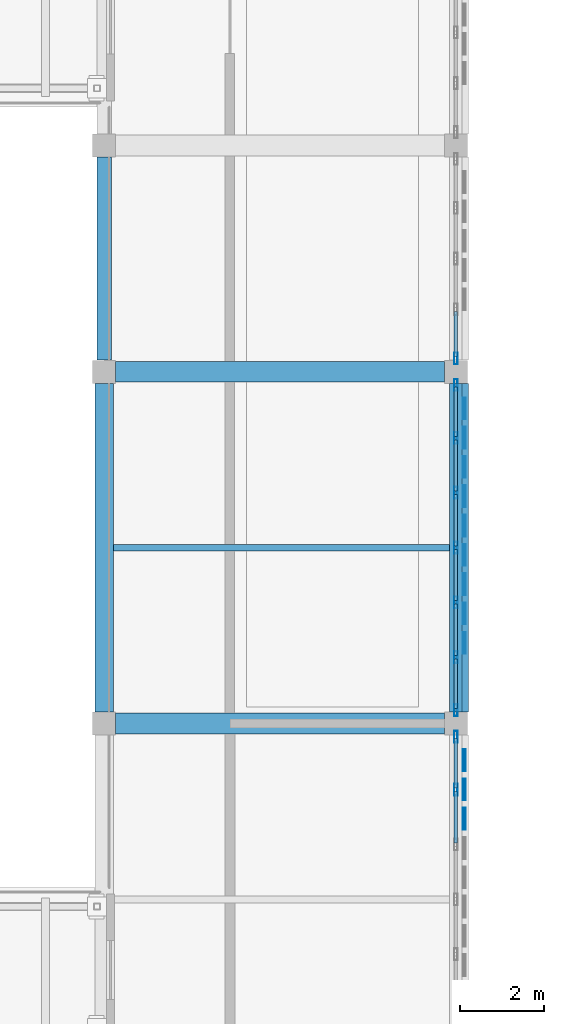
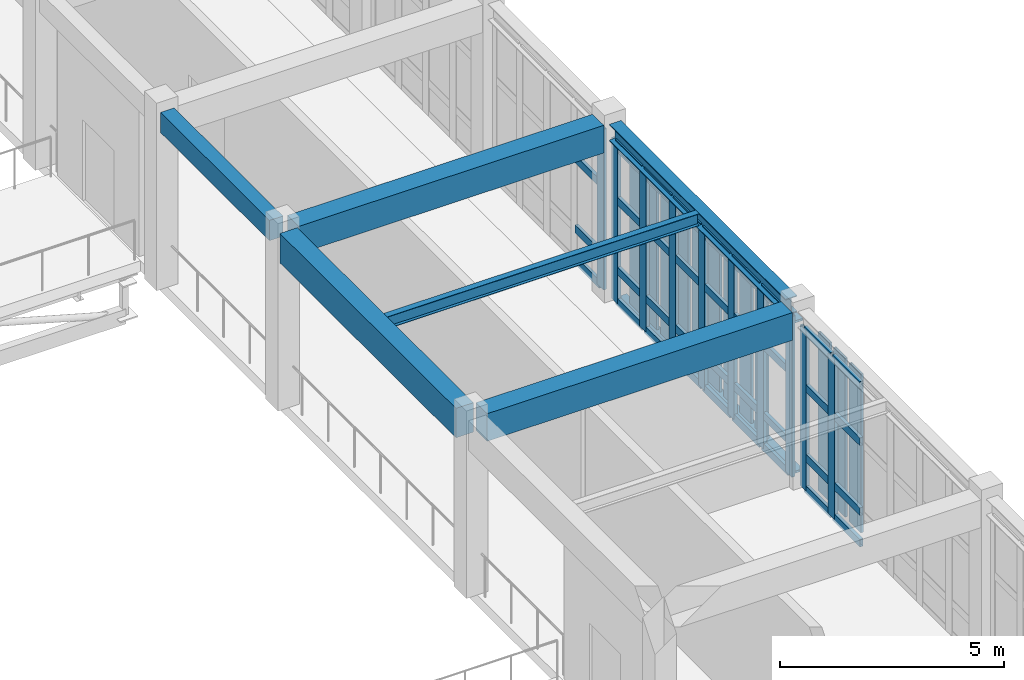
# One storey, part 34 of 106: 59 members, 6 beams, 3 elements without a shape of their own.
"""IFC4 building model written with IfcOpenShell, lengths in metres."""

from ifc_helpers import new_model, si_unit, direction, frame, origin, origin_2d, place, context, subcontext, project, spatial, rectangle, hollow_rectangle, i_section, extrude, material, layer, layer_set, material_profile, profile_set, type_object, element, aggregate, save


model = new_model("IFC4")

# Units and contexts
model_context = context("Model", 3, precision=1e-05, world=origin(), true_north=direction((0.0, 1.0)))
body_context = subcontext(model_context, "Body", "Model", "MODEL_VIEW")
ifc_project = project(units=[si_unit("LENGTHUNIT", "METRE"), si_unit("AREAUNIT", "SQUARE_METRE"), si_unit("VOLUMEUNIT", "CUBIC_METRE"), si_unit("PLANEANGLEUNIT", "RADIAN"), si_unit("MASSUNIT", "GRAM", prefix="KILO")], contexts=[model_context])

# Site, building, storey
site_placement = place(None, origin())
site = spatial("IfcSite", under=ifc_project, at=site_placement, CompositionType="ELEMENT")
building_placement = place(site_placement, origin())
building = spatial("IfcBuilding", under=site, at=building_placement, Name="Krzemoval Escarpment Law Courts", CompositionType="ELEMENT")
storey_placement = place(building_placement, frame((0.0, 0.0, 5.10009765625)))
storey = spatial("IfcBuildingStorey", under=building, at=storey_placement, Name="L01", CompositionType="ELEMENT", Elevation=5.10009765625)

# Beams
ifc_material_1 = material(Name="Concrete C40/50", Category="concrete")
ifc_material_profile_1 = material_profile(ifc_material_1, rectangle(XDim=0.35009765625, YDim=0.550048828125, at=origin_2d()), Name="RCB 350x550")
ifc_profile_set_1 = profile_set([ifc_material_profile_1], Name="Concrete C40/50")
beam_type_1 = type_object("IfcBeamType", Name="BM-RC-350x550", PredefinedType="BEAM", material=ifc_profile_set_1)
beam_1_placement = place(storey_placement, frame((33.60009765625, 74.675048828125, 4.544921875), z_axis=(0.0, 1.0, 0.0), x_axis=(-1.0, 0.0, 0.0)))
element("IfcBeam", 1, at=beam_1_placement, inside=storey, type_object=beam_type_1, Name="Beam FG-L01-1429", PredefinedType="BEAM", context=body_context, shape_type="SweptSolid", body=[
    extrude(rectangle(XDim=0.35009765625, YDim=0.550048828125, at=origin_2d()), origin(), (0.0, 0.0, 1.0), 4.849853515625),
])
ifc_material_2 = material(Name="Concrete C40/50", Category="concrete")
ifc_material_profile_2 = material_profile(ifc_material_2, rectangle(XDim=0.449951171875, YDim=0.800048828125, at=origin_2d()), Name="RCB 450x800")
ifc_profile_set_2 = profile_set([ifc_material_profile_2], Name="Concrete C40/50")
beam_type_2 = type_object("IfcBeamType", Name="BM-RC-450x800", PredefinedType="BEAM", material=ifc_profile_set_2)
beam_2_placement = place(storey_placement, frame((33.60009765625, 66.27490234375, 4.419921875), z_axis=(0.0, 1.0, 0.0), x_axis=(-1.0, 0.0, 0.0)))
element("IfcBeam", 2, at=beam_2_placement, inside=storey, type_object=beam_type_2, Name="Beam FG-L01-1428", PredefinedType="BEAM", context=body_context, shape_type="SweptSolid", body=[
    extrude(rectangle(XDim=0.449951171875, YDim=0.800048828125, at=origin_2d()), origin(), (0.0, 0.0, 1.0), 7.85009765625),
])
ifc_material_3 = material(Name="Concrete C40/50", Category="concrete")
ifc_material_profile_3 = material_profile(ifc_material_3, rectangle(XDim=0.5, YDim=0.75, at=origin_2d()), Name="RCB 500x750")
ifc_profile_set_3 = profile_set([ifc_material_profile_3], Name="Concrete C40/50")
beam_type_3 = type_object("IfcBeamType", Name="BM-RC-500x750", PredefinedType="BEAM", material=ifc_profile_set_3)
for number, where, z_axis, x_axis, name in (
    (3, (33.875, 66.0, 4.44482421875), (1.0, 0.0, 0.0), (0.0, 1.0, 0.0), "Beam FG-L01-1264"),
    (4, (33.875, 74.39990234375, 4.44482421875), (1.0, 0.0, 0.0), (0.0, 1.0, 0.0), "Beam FG-L01-1272"),
):
    element("IfcBeam", number, at=place(storey_placement, frame(where, z_axis=z_axis, x_axis=x_axis)), inside=storey, type_object=beam_type_3, Name=name, PredefinedType="BEAM", context=body_context, shape_type="SweptSolid", body=[
        extrude(rectangle(XDim=0.5, YDim=0.75, at=origin_2d()), origin(), (0.0, 0.0, 1.0), 7.85009765625),
    ])

# Curtain wall, member
ifc_material_4 = material(Name="Aluminium 6063-T6", Category="aluminium")
ifc_layer = layer(ifc_material_4, 0.280029296875)
ifc_layer_set = layer_set([ifc_layer], Name="Aluminium 6063-T6")
curtain_wall_type = type_object("IfcCurtainWallType", Name="CW-HALL-5100", PredefinedType="USERDEFINED", material=ifc_layer_set)
curtain_wall_1_placement = place(storey_placement, origin())
curtain_wall_1 = element("IfcCurtainWall", 5, at=curtain_wall_1_placement, inside=storey, type_object=curtain_wall_type, Name="Unitised Curtain Wall FCW-L01-059", ObjectType="UNITISED_CURTAIN_WALL", PredefinedType="USERDEFINED")
ifc_material_5 = material(Name="Aluminium 6063-T6", Category="aluminium")
ifc_material_profile_4 = material_profile(ifc_material_5, hollow_rectangle(XDim=0.0849609375, YDim=0.280029296875, WallThickness=0.005615234375, at=origin_2d()), Name="ALU M85x280")
ifc_profile_set_4 = profile_set([ifc_material_profile_4], Name="Aluminium 6063-T6")
member_type_1 = type_object("IfcMemberType", Name="CWM-85x280", PredefinedType="MULLION", material=ifc_profile_set_4)
member_1_placement = place(storey_placement, frame((42.0, 74.717529296875, 0.0), z_axis=(0.0, 0.0, 1.0), x_axis=(1.0, 0.0, 0.0)))
member_1 = element("IfcMember", 6, at=member_1_placement, type_object=member_type_1, Name="FCW-L01-059 mullion 5", PredefinedType="MULLION", context=body_context, shape_type="SweptSolid", body=[
    extrude(hollow_rectangle(XDim=0.0849609375, YDim=0.280029296875, WallThickness=0.005615234375, at=origin_2d()), origin(), (0.0, 0.0, 1.0), 4.369873046875),
])

# Curtain wall, members
curtain_wall_2_placement = place(storey_placement, origin())
curtain_wall_2 = element("IfcCurtainWall", 7, at=curtain_wall_2_placement, inside=storey, type_object=curtain_wall_type, Name="Unitised Curtain Wall FCW-L01-060", ObjectType="UNITISED_CURTAIN_WALL", PredefinedType="USERDEFINED")
member_2_placement = place(storey_placement, frame((42.0, 74.08251953125, 0.0), z_axis=(0.0, 0.0, 1.0), x_axis=(1.0, 0.0, 0.0)))
member_2 = element("IfcMember", 8, at=member_2_placement, type_object=member_type_1, Name="FCW-L01-060 mullion 1", PredefinedType="MULLION", context=body_context, shape_type="SweptSolid", body=[
    extrude(hollow_rectangle(XDim=0.0849609375, YDim=0.280029296875, WallThickness=0.005615234375, at=origin_2d()), origin(), (0.0, 0.0, 1.0), 4.369873046875),
])
member_3_placement = place(storey_placement, frame((42.0, 72.816650390625, 0.0), z_axis=(0.0, 0.0, 1.0), x_axis=(1.0, 0.0, 0.0)))
member_3 = element("IfcMember", 9, at=member_3_placement, type_object=member_type_1, Name="FCW-L01-060 mullion 2", PredefinedType="MULLION", context=body_context, shape_type="SweptSolid", body=[
    extrude(hollow_rectangle(XDim=0.0849609375, YDim=0.280029296875, WallThickness=0.005615234375, at=origin_2d()), origin(), (0.0, 0.0, 1.0), 4.369873046875),
])
member_4_placement = place(storey_placement, frame((42.0, 71.50830078125, 0.0), z_axis=(0.0, 0.0, 1.0), x_axis=(1.0, 0.0, 0.0)))
member_4 = element("IfcMember", 10, at=member_4_placement, type_object=member_type_1, Name="FCW-L01-060 mullion 3", PredefinedType="MULLION", context=body_context, shape_type="SweptSolid", body=[
    extrude(hollow_rectangle(XDim=0.0849609375, YDim=0.280029296875, WallThickness=0.005615234375, at=origin_2d()), origin(), (0.0, 0.0, 1.0), 4.369873046875),
])
member_5_placement = place(storey_placement, frame((42.0, 70.199951171875, 0.0), z_axis=(0.0, 0.0, 1.0), x_axis=(1.0, 0.0, 0.0)))
member_5 = element("IfcMember", 11, at=member_5_placement, type_object=member_type_1, Name="FCW-L01-060 mullion 4", PredefinedType="MULLION", context=body_context, shape_type="SweptSolid", body=[
    extrude(hollow_rectangle(XDim=0.0849609375, YDim=0.280029296875, WallThickness=0.005615234375, at=origin_2d()), origin(), (0.0, 0.0, 1.0), 4.369873046875),
])
member_6_placement = place(storey_placement, frame((42.0, 68.8916015625, 0.0), z_axis=(0.0, 0.0, 1.0), x_axis=(1.0, 0.0, 0.0)))
member_6 = element("IfcMember", 12, at=member_6_placement, type_object=member_type_1, Name="FCW-L01-060 mullion 5", PredefinedType="MULLION", context=body_context, shape_type="SweptSolid", body=[
    extrude(hollow_rectangle(XDim=0.0849609375, YDim=0.280029296875, WallThickness=0.005615234375, at=origin_2d()), origin(), (0.0, 0.0, 1.0), 4.369873046875),
])
member_7_placement = place(storey_placement, frame((42.0, 67.583251953125, 0.0), z_axis=(0.0, 0.0, 1.0), x_axis=(1.0, 0.0, 0.0)))
member_7 = element("IfcMember", 13, at=member_7_placement, type_object=member_type_1, Name="FCW-L01-060 mullion 6", PredefinedType="MULLION", context=body_context, shape_type="SweptSolid", body=[
    extrude(hollow_rectangle(XDim=0.0849609375, YDim=0.280029296875, WallThickness=0.005615234375, at=origin_2d()), origin(), (0.0, 0.0, 1.0), 4.369873046875),
])
member_8_placement = place(storey_placement, frame((42.0, 66.3173828125, 0.0), z_axis=(0.0, 0.0, 1.0), x_axis=(1.0, 0.0, 0.0)))
member_8 = element("IfcMember", 14, at=member_8_placement, type_object=member_type_1, Name="FCW-L01-060 mullion 7", PredefinedType="MULLION", context=body_context, shape_type="SweptSolid", body=[
    extrude(hollow_rectangle(XDim=0.0849609375, YDim=0.280029296875, WallThickness=0.005615234375, at=origin_2d()), origin(), (0.0, 0.0, 1.0), 4.369873046875),
])

curtain_wall_3_placement = place(storey_placement, origin())
curtain_wall_3 = element("IfcCurtainWall", 15, at=curtain_wall_3_placement, inside=storey, type_object=curtain_wall_type, Name="Unitised Curtain Wall FCW-L01-061", ObjectType="UNITISED_CURTAIN_WALL", PredefinedType="USERDEFINED")
member_9_placement = place(storey_placement, frame((42.0, 65.6826171875, 0.0), z_axis=(0.0, 0.0, 1.0), x_axis=(1.0, 0.0, 0.0)))
member_9 = element("IfcMember", 16, at=member_9_placement, type_object=member_type_1, Name="FCW-L01-061 mullion 1", PredefinedType="MULLION", context=body_context, shape_type="SweptSolid", body=[
    extrude(hollow_rectangle(XDim=0.0849609375, YDim=0.280029296875, WallThickness=0.005615234375, at=origin_2d()), origin(), (0.0, 0.0, 1.0), 4.369873046875),
])
member_10_placement = place(storey_placement, frame((42.0, 64.416748046875, 0.0), z_axis=(0.0, 0.0, 1.0), x_axis=(1.0, 0.0, 0.0)))
member_10 = element("IfcMember", 17, at=member_10_placement, type_object=member_type_1, Name="FCW-L01-061 mullion 2", PredefinedType="MULLION", context=body_context, shape_type="SweptSolid", body=[
    extrude(hollow_rectangle(XDim=0.0849609375, YDim=0.280029296875, WallThickness=0.005615234375, at=origin_2d()), origin(), (0.0, 0.0, 1.0), 4.369873046875),
])

# Member
ifc_material_6 = material(Name="Aluminium 6063-T6", Category="aluminium")
ifc_material_profile_5 = material_profile(ifc_material_6, hollow_rectangle(XDim=0.0849609375, YDim=0.2099609375, WallThickness=0.005615234375, at=origin_2d()), Name="ALU T85x210")
ifc_profile_set_5 = profile_set([ifc_material_profile_5], Name="Aluminium 6063-T6")
member_type_2 = type_object("IfcMemberType", Name="CWT-85x210", PredefinedType="USERDEFINED", material=ifc_profile_set_5)
member_11_placement = place(storey_placement, frame((42.0, 75.844970703125, 0.04248046875), z_axis=(0.0, -1.0, 0.0), x_axis=(1.0, 0.0, 0.0)))
member_11 = element("IfcMember", 18, at=member_11_placement, type_object=member_type_2, Name="FCW-L01-059 transom 4.1", ObjectType="TRANSOM", PredefinedType="USERDEFINED", context=body_context, shape_type="SweptSolid", body=[
    extrude(hollow_rectangle(XDim=0.0849609375, YDim=0.2099609375, WallThickness=0.005615234375, at=origin_2d()), origin(), (0.0, 0.0, 1.0), 1.0849609375),
])

member_12_placement = place(storey_placement, frame((42.0, 75.844970703125, 0.89990234375), z_axis=(0.0, -1.0, 0.0), x_axis=(1.0, 0.0, 0.0)))
member_12 = element("IfcMember", 19, at=member_12_placement, type_object=member_type_2, Name="FCW-L01-059 transom 4.2", ObjectType="TRANSOM", PredefinedType="USERDEFINED", context=body_context, shape_type="SweptSolid", body=[
    extrude(hollow_rectangle(XDim=0.0849609375, YDim=0.2099609375, WallThickness=0.005615234375, at=origin_2d()), origin(), (0.0, 0.0, 1.0), 1.0849609375),
])

member_13_placement = place(storey_placement, frame((42.0, 75.844970703125, 2.7998046875), z_axis=(0.0, -1.0, 0.0), x_axis=(1.0, 0.0, 0.0)))
member_13 = element("IfcMember", 20, at=member_13_placement, type_object=member_type_2, Name="FCW-L01-059 transom 4.3", ObjectType="TRANSOM", PredefinedType="USERDEFINED", context=body_context, shape_type="SweptSolid", body=[
    extrude(hollow_rectangle(XDim=0.0849609375, YDim=0.2099609375, WallThickness=0.005615234375, at=origin_2d()), origin(), (0.0, 0.0, 1.0), 1.0849609375),
])

aggregate(curtain_wall_1, [member_1, member_11, member_12, member_13])

member_14_placement = place(storey_placement, frame((42.0, 74.0400390625, 0.04248046875), z_axis=(0.0, -1.0, 0.0), x_axis=(1.0, 0.0, 0.0)))
member_14 = element("IfcMember", 21, at=member_14_placement, type_object=member_type_2, Name="FCW-L01-060 transom 1.1", ObjectType="TRANSOM", PredefinedType="USERDEFINED", context=body_context, shape_type="SweptSolid", body=[
    extrude(hollow_rectangle(XDim=0.0849609375, YDim=0.2099609375, WallThickness=0.005615234375, at=origin_2d()), origin(), (0.0, 0.0, 1.0), 1.180908203125),
])

member_15_placement = place(storey_placement, frame((42.0, 74.0400390625, 0.89990234375), z_axis=(0.0, -1.0, 0.0), x_axis=(1.0, 0.0, 0.0)))
member_15 = element("IfcMember", 22, at=member_15_placement, type_object=member_type_2, Name="FCW-L01-060 transom 1.2", ObjectType="TRANSOM", PredefinedType="USERDEFINED", context=body_context, shape_type="SweptSolid", body=[
    extrude(hollow_rectangle(XDim=0.0849609375, YDim=0.2099609375, WallThickness=0.005615234375, at=origin_2d()), origin(), (0.0, 0.0, 1.0), 1.180908203125),
])

member_16_placement = place(storey_placement, frame((42.0, 74.0400390625, 2.7998046875), z_axis=(0.0, -1.0, 0.0), x_axis=(1.0, 0.0, 0.0)))
member_16 = element("IfcMember", 23, at=member_16_placement, type_object=member_type_2, Name="FCW-L01-060 transom 1.3", ObjectType="TRANSOM", PredefinedType="USERDEFINED", context=body_context, shape_type="SweptSolid", body=[
    extrude(hollow_rectangle(XDim=0.0849609375, YDim=0.2099609375, WallThickness=0.005615234375, at=origin_2d()), origin(), (0.0, 0.0, 1.0), 1.180908203125),
])

member_17_placement = place(storey_placement, frame((42.0, 74.0400390625, 4.327392578125), z_axis=(0.0, -1.0, 0.0), x_axis=(1.0, 0.0, 0.0)))
member_17 = element("IfcMember", 24, at=member_17_placement, type_object=member_type_2, Name="FCW-L01-060 transom 1.4", ObjectType="TRANSOM", PredefinedType="USERDEFINED", context=body_context, shape_type="SweptSolid", body=[
    extrude(hollow_rectangle(XDim=0.0849609375, YDim=0.2099609375, WallThickness=0.005615234375, at=origin_2d()), origin(), (0.0, 0.0, 1.0), 1.180908203125),
])

member_18_placement = place(storey_placement, frame((42.0, 72.774169921875, 0.04248046875), z_axis=(0.0, -1.0, 0.0), x_axis=(1.0, 0.0, 0.0)))
member_18 = element("IfcMember", 25, at=member_18_placement, type_object=member_type_2, Name="FCW-L01-060 transom 2.1", ObjectType="TRANSOM", PredefinedType="USERDEFINED", context=body_context, shape_type="SweptSolid", body=[
    extrude(hollow_rectangle(XDim=0.0849609375, YDim=0.2099609375, WallThickness=0.005615234375, at=origin_2d()), origin(), (0.0, 0.0, 1.0), 1.223388671875),
])

member_19_placement = place(storey_placement, frame((42.0, 72.774169921875, 0.89990234375), z_axis=(0.0, -1.0, 0.0), x_axis=(1.0, 0.0, 0.0)))
member_19 = element("IfcMember", 26, at=member_19_placement, type_object=member_type_2, Name="FCW-L01-060 transom 2.2", ObjectType="TRANSOM", PredefinedType="USERDEFINED", context=body_context, shape_type="SweptSolid", body=[
    extrude(hollow_rectangle(XDim=0.0849609375, YDim=0.2099609375, WallThickness=0.005615234375, at=origin_2d()), origin(), (0.0, 0.0, 1.0), 1.223388671875),
])

member_20_placement = place(storey_placement, frame((42.0, 72.774169921875, 2.7998046875), z_axis=(0.0, -1.0, 0.0), x_axis=(1.0, 0.0, 0.0)))
member_20 = element("IfcMember", 27, at=member_20_placement, type_object=member_type_2, Name="FCW-L01-060 transom 2.3", ObjectType="TRANSOM", PredefinedType="USERDEFINED", context=body_context, shape_type="SweptSolid", body=[
    extrude(hollow_rectangle(XDim=0.0849609375, YDim=0.2099609375, WallThickness=0.005615234375, at=origin_2d()), origin(), (0.0, 0.0, 1.0), 1.223388671875),
])

member_21_placement = place(storey_placement, frame((42.0, 72.774169921875, 4.327392578125), z_axis=(0.0, -1.0, 0.0), x_axis=(1.0, 0.0, 0.0)))
member_21 = element("IfcMember", 28, at=member_21_placement, type_object=member_type_2, Name="FCW-L01-060 transom 2.4", ObjectType="TRANSOM", PredefinedType="USERDEFINED", context=body_context, shape_type="SweptSolid", body=[
    extrude(hollow_rectangle(XDim=0.0849609375, YDim=0.2099609375, WallThickness=0.005615234375, at=origin_2d()), origin(), (0.0, 0.0, 1.0), 1.223388671875),
])

member_22_placement = place(storey_placement, frame((42.0, 71.4658203125, 0.04248046875), z_axis=(0.0, -1.0, 0.0), x_axis=(1.0, 0.0, 0.0)))
member_22 = element("IfcMember", 29, at=member_22_placement, type_object=member_type_2, Name="FCW-L01-060 transom 3.1", ObjectType="TRANSOM", PredefinedType="USERDEFINED", context=body_context, shape_type="SweptSolid", body=[
    extrude(hollow_rectangle(XDim=0.0849609375, YDim=0.2099609375, WallThickness=0.005615234375, at=origin_2d()), origin(), (0.0, 0.0, 1.0), 1.223388671875),
])

member_23_placement = place(storey_placement, frame((42.0, 71.4658203125, 0.89990234375), z_axis=(0.0, -1.0, 0.0), x_axis=(1.0, 0.0, 0.0)))
member_23 = element("IfcMember", 30, at=member_23_placement, type_object=member_type_2, Name="FCW-L01-060 transom 3.2", ObjectType="TRANSOM", PredefinedType="USERDEFINED", context=body_context, shape_type="SweptSolid", body=[
    extrude(hollow_rectangle(XDim=0.0849609375, YDim=0.2099609375, WallThickness=0.005615234375, at=origin_2d()), origin(), (0.0, 0.0, 1.0), 1.223388671875),
])

member_24_placement = place(storey_placement, frame((42.0, 71.4658203125, 2.7998046875), z_axis=(0.0, -1.0, 0.0), x_axis=(1.0, 0.0, 0.0)))
member_24 = element("IfcMember", 31, at=member_24_placement, type_object=member_type_2, Name="FCW-L01-060 transom 3.3", ObjectType="TRANSOM", PredefinedType="USERDEFINED", context=body_context, shape_type="SweptSolid", body=[
    extrude(hollow_rectangle(XDim=0.0849609375, YDim=0.2099609375, WallThickness=0.005615234375, at=origin_2d()), origin(), (0.0, 0.0, 1.0), 1.223388671875),
])

member_25_placement = place(storey_placement, frame((42.0, 71.4658203125, 4.327392578125), z_axis=(0.0, -1.0, 0.0), x_axis=(1.0, 0.0, 0.0)))
member_25 = element("IfcMember", 32, at=member_25_placement, type_object=member_type_2, Name="FCW-L01-060 transom 3.4", ObjectType="TRANSOM", PredefinedType="USERDEFINED", context=body_context, shape_type="SweptSolid", body=[
    extrude(hollow_rectangle(XDim=0.0849609375, YDim=0.2099609375, WallThickness=0.005615234375, at=origin_2d()), origin(), (0.0, 0.0, 1.0), 1.223388671875),
])

member_26_placement = place(storey_placement, frame((42.0, 70.157470703125, 0.04248046875), z_axis=(0.0, -1.0, 0.0), x_axis=(1.0, 0.0, 0.0)))
member_26 = element("IfcMember", 33, at=member_26_placement, type_object=member_type_2, Name="FCW-L01-060 transom 4.1", ObjectType="TRANSOM", PredefinedType="USERDEFINED", context=body_context, shape_type="SweptSolid", body=[
    extrude(hollow_rectangle(XDim=0.0849609375, YDim=0.2099609375, WallThickness=0.005615234375, at=origin_2d()), origin(), (0.0, 0.0, 1.0), 1.223388671875),
])

member_27_placement = place(storey_placement, frame((42.0, 70.157470703125, 0.89990234375), z_axis=(0.0, -1.0, 0.0), x_axis=(1.0, 0.0, 0.0)))
member_27 = element("IfcMember", 34, at=member_27_placement, type_object=member_type_2, Name="FCW-L01-060 transom 4.2", ObjectType="TRANSOM", PredefinedType="USERDEFINED", context=body_context, shape_type="SweptSolid", body=[
    extrude(hollow_rectangle(XDim=0.0849609375, YDim=0.2099609375, WallThickness=0.005615234375, at=origin_2d()), origin(), (0.0, 0.0, 1.0), 1.223388671875),
])

member_28_placement = place(storey_placement, frame((42.0, 70.157470703125, 2.7998046875), z_axis=(0.0, -1.0, 0.0), x_axis=(1.0, 0.0, 0.0)))
member_28 = element("IfcMember", 35, at=member_28_placement, type_object=member_type_2, Name="FCW-L01-060 transom 4.3", ObjectType="TRANSOM", PredefinedType="USERDEFINED", context=body_context, shape_type="SweptSolid", body=[
    extrude(hollow_rectangle(XDim=0.0849609375, YDim=0.2099609375, WallThickness=0.005615234375, at=origin_2d()), origin(), (0.0, 0.0, 1.0), 1.223388671875),
])

member_29_placement = place(storey_placement, frame((42.0, 70.157470703125, 4.327392578125), z_axis=(0.0, -1.0, 0.0), x_axis=(1.0, 0.0, 0.0)))
member_29 = element("IfcMember", 36, at=member_29_placement, type_object=member_type_2, Name="FCW-L01-060 transom 4.4", ObjectType="TRANSOM", PredefinedType="USERDEFINED", context=body_context, shape_type="SweptSolid", body=[
    extrude(hollow_rectangle(XDim=0.0849609375, YDim=0.2099609375, WallThickness=0.005615234375, at=origin_2d()), origin(), (0.0, 0.0, 1.0), 1.223388671875),
])

member_30_placement = place(storey_placement, frame((42.0, 68.84912109375, 0.04248046875), z_axis=(0.0, -1.0, 0.0), x_axis=(1.0, 0.0, 0.0)))
member_30 = element("IfcMember", 37, at=member_30_placement, type_object=member_type_2, Name="FCW-L01-060 transom 5.1", ObjectType="TRANSOM", PredefinedType="USERDEFINED", context=body_context, shape_type="SweptSolid", body=[
    extrude(hollow_rectangle(XDim=0.0849609375, YDim=0.2099609375, WallThickness=0.005615234375, at=origin_2d()), origin(), (0.0, 0.0, 1.0), 1.223388671875),
])

member_31_placement = place(storey_placement, frame((42.0, 68.84912109375, 0.89990234375), z_axis=(0.0, -1.0, 0.0), x_axis=(1.0, 0.0, 0.0)))
member_31 = element("IfcMember", 38, at=member_31_placement, type_object=member_type_2, Name="FCW-L01-060 transom 5.2", ObjectType="TRANSOM", PredefinedType="USERDEFINED", context=body_context, shape_type="SweptSolid", body=[
    extrude(hollow_rectangle(XDim=0.0849609375, YDim=0.2099609375, WallThickness=0.005615234375, at=origin_2d()), origin(), (0.0, 0.0, 1.0), 1.223388671875),
])

member_32_placement = place(storey_placement, frame((42.0, 68.84912109375, 2.7998046875), z_axis=(0.0, -1.0, 0.0), x_axis=(1.0, 0.0, 0.0)))
member_32 = element("IfcMember", 39, at=member_32_placement, type_object=member_type_2, Name="FCW-L01-060 transom 5.3", ObjectType="TRANSOM", PredefinedType="USERDEFINED", context=body_context, shape_type="SweptSolid", body=[
    extrude(hollow_rectangle(XDim=0.0849609375, YDim=0.2099609375, WallThickness=0.005615234375, at=origin_2d()), origin(), (0.0, 0.0, 1.0), 1.223388671875),
])

member_33_placement = place(storey_placement, frame((42.0, 68.84912109375, 4.327392578125), z_axis=(0.0, -1.0, 0.0), x_axis=(1.0, 0.0, 0.0)))
member_33 = element("IfcMember", 40, at=member_33_placement, type_object=member_type_2, Name="FCW-L01-060 transom 5.4", ObjectType="TRANSOM", PredefinedType="USERDEFINED", context=body_context, shape_type="SweptSolid", body=[
    extrude(hollow_rectangle(XDim=0.0849609375, YDim=0.2099609375, WallThickness=0.005615234375, at=origin_2d()), origin(), (0.0, 0.0, 1.0), 1.223388671875),
])

member_34_placement = place(storey_placement, frame((42.0, 67.540771484375, 0.04248046875), z_axis=(0.0, -1.0, 0.0), x_axis=(1.0, 0.0, 0.0)))
member_34 = element("IfcMember", 41, at=member_34_placement, type_object=member_type_2, Name="FCW-L01-060 transom 6.1", ObjectType="TRANSOM", PredefinedType="USERDEFINED", context=body_context, shape_type="SweptSolid", body=[
    extrude(hollow_rectangle(XDim=0.0849609375, YDim=0.2099609375, WallThickness=0.005615234375, at=origin_2d()), origin(), (0.0, 0.0, 1.0), 1.1806640625),
])

member_35_placement = place(storey_placement, frame((42.0, 67.540771484375, 0.89990234375), z_axis=(0.0, -1.0, 0.0), x_axis=(1.0, 0.0, 0.0)))
member_35 = element("IfcMember", 42, at=member_35_placement, type_object=member_type_2, Name="FCW-L01-060 transom 6.2", ObjectType="TRANSOM", PredefinedType="USERDEFINED", context=body_context, shape_type="SweptSolid", body=[
    extrude(hollow_rectangle(XDim=0.0849609375, YDim=0.2099609375, WallThickness=0.005615234375, at=origin_2d()), origin(), (0.0, 0.0, 1.0), 1.1806640625),
])

member_36_placement = place(storey_placement, frame((42.0, 67.540771484375, 2.7998046875), z_axis=(0.0, -1.0, 0.0), x_axis=(1.0, 0.0, 0.0)))
member_36 = element("IfcMember", 43, at=member_36_placement, type_object=member_type_2, Name="FCW-L01-060 transom 6.3", ObjectType="TRANSOM", PredefinedType="USERDEFINED", context=body_context, shape_type="SweptSolid", body=[
    extrude(hollow_rectangle(XDim=0.0849609375, YDim=0.2099609375, WallThickness=0.005615234375, at=origin_2d()), origin(), (0.0, 0.0, 1.0), 1.1806640625),
])

member_37_placement = place(storey_placement, frame((42.0, 67.540771484375, 4.327392578125), z_axis=(0.0, -1.0, 0.0), x_axis=(1.0, 0.0, 0.0)))
member_37 = element("IfcMember", 44, at=member_37_placement, type_object=member_type_2, Name="FCW-L01-060 transom 6.4", ObjectType="TRANSOM", PredefinedType="USERDEFINED", context=body_context, shape_type="SweptSolid", body=[
    extrude(hollow_rectangle(XDim=0.0849609375, YDim=0.2099609375, WallThickness=0.005615234375, at=origin_2d()), origin(), (0.0, 0.0, 1.0), 1.1806640625),
])

aggregate(curtain_wall_2, [member_2, member_3, member_4, member_5, member_6, member_7, member_8, member_14, member_15, member_16, member_17, member_18, member_19, member_20, member_21, member_22, member_23, member_24, member_25, member_26, member_27, member_28, member_29, member_30, member_31, member_32, member_33, member_34, member_35, member_36, member_37])

member_38_placement = place(storey_placement, frame((42.0, 65.639892578125, 0.04248046875), z_axis=(0.0, -1.0, 0.0), x_axis=(1.0, 0.0, 0.0)))
member_38 = element("IfcMember", 45, at=member_38_placement, type_object=member_type_2, Name="FCW-L01-061 transom 1.1", ObjectType="TRANSOM", PredefinedType="USERDEFINED", context=body_context, shape_type="SweptSolid", body=[
    extrude(hollow_rectangle(XDim=0.0849609375, YDim=0.2099609375, WallThickness=0.005615234375, at=origin_2d()), origin(), (0.0, 0.0, 1.0), 1.1806640625),
])

member_39_placement = place(storey_placement, frame((42.0, 65.639892578125, 0.89990234375), z_axis=(0.0, -1.0, 0.0), x_axis=(1.0, 0.0, 0.0)))
member_39 = element("IfcMember", 46, at=member_39_placement, type_object=member_type_2, Name="FCW-L01-061 transom 1.2", ObjectType="TRANSOM", PredefinedType="USERDEFINED", context=body_context, shape_type="SweptSolid", body=[
    extrude(hollow_rectangle(XDim=0.0849609375, YDim=0.2099609375, WallThickness=0.005615234375, at=origin_2d()), origin(), (0.0, 0.0, 1.0), 1.1806640625),
])

member_40_placement = place(storey_placement, frame((42.0, 65.639892578125, 2.7998046875), z_axis=(0.0, -1.0, 0.0), x_axis=(1.0, 0.0, 0.0)))
member_40 = element("IfcMember", 47, at=member_40_placement, type_object=member_type_2, Name="FCW-L01-061 transom 1.3", ObjectType="TRANSOM", PredefinedType="USERDEFINED", context=body_context, shape_type="SweptSolid", body=[
    extrude(hollow_rectangle(XDim=0.0849609375, YDim=0.2099609375, WallThickness=0.005615234375, at=origin_2d()), origin(), (0.0, 0.0, 1.0), 1.1806640625),
])

member_41_placement = place(storey_placement, frame((42.0, 65.639892578125, 4.327392578125), z_axis=(0.0, -1.0, 0.0), x_axis=(1.0, 0.0, 0.0)))
member_41 = element("IfcMember", 48, at=member_41_placement, type_object=member_type_2, Name="FCW-L01-061 transom 1.4", ObjectType="TRANSOM", PredefinedType="USERDEFINED", context=body_context, shape_type="SweptSolid", body=[
    extrude(hollow_rectangle(XDim=0.0849609375, YDim=0.2099609375, WallThickness=0.005615234375, at=origin_2d()), origin(), (0.0, 0.0, 1.0), 1.1806640625),
])

member_42_placement = place(storey_placement, frame((42.0, 64.374267578125, 0.04248046875), z_axis=(0.0, -1.0, 0.0), x_axis=(1.0, 0.0, 0.0)))
member_42 = element("IfcMember", 49, at=member_42_placement, type_object=member_type_2, Name="FCW-L01-061 transom 2.1", ObjectType="TRANSOM", PredefinedType="USERDEFINED", context=body_context, shape_type="SweptSolid", body=[
    extrude(hollow_rectangle(XDim=0.0849609375, YDim=0.2099609375, WallThickness=0.005615234375, at=origin_2d()), origin(), (0.0, 0.0, 1.0), 1.223388671875),
])

member_43_placement = place(storey_placement, frame((42.0, 64.374267578125, 0.89990234375), z_axis=(0.0, -1.0, 0.0), x_axis=(1.0, 0.0, 0.0)))
member_43 = element("IfcMember", 50, at=member_43_placement, type_object=member_type_2, Name="FCW-L01-061 transom 2.2", ObjectType="TRANSOM", PredefinedType="USERDEFINED", context=body_context, shape_type="SweptSolid", body=[
    extrude(hollow_rectangle(XDim=0.0849609375, YDim=0.2099609375, WallThickness=0.005615234375, at=origin_2d()), origin(), (0.0, 0.0, 1.0), 1.223388671875),
])

member_44_placement = place(storey_placement, frame((42.0, 64.374267578125, 2.7998046875), z_axis=(0.0, -1.0, 0.0), x_axis=(1.0, 0.0, 0.0)))
member_44 = element("IfcMember", 51, at=member_44_placement, type_object=member_type_2, Name="FCW-L01-061 transom 2.3", ObjectType="TRANSOM", PredefinedType="USERDEFINED", context=body_context, shape_type="SweptSolid", body=[
    extrude(hollow_rectangle(XDim=0.0849609375, YDim=0.2099609375, WallThickness=0.005615234375, at=origin_2d()), origin(), (0.0, 0.0, 1.0), 1.223388671875),
])

member_45_placement = place(storey_placement, frame((42.0, 64.374267578125, 4.327392578125), z_axis=(0.0, -1.0, 0.0), x_axis=(1.0, 0.0, 0.0)))
member_45 = element("IfcMember", 52, at=member_45_placement, type_object=member_type_2, Name="FCW-L01-061 transom 2.4", ObjectType="TRANSOM", PredefinedType="USERDEFINED", context=body_context, shape_type="SweptSolid", body=[
    extrude(hollow_rectangle(XDim=0.0849609375, YDim=0.2099609375, WallThickness=0.005615234375, at=origin_2d()), origin(), (0.0, 0.0, 1.0), 1.223388671875),
])

aggregate(curtain_wall_3, [member_9, member_10, member_38, member_39, member_40, member_41, member_42, member_43, member_44, member_45])

# Beam
ifc_material_7 = material(Name="Steel S355", Category="steel")
ifc_material_profile_6 = material_profile(ifc_material_7, i_section(OverallWidth=0.159912109375, OverallDepth=0.330078125, WebThickness=0.007568359375, FlangeThickness=0.011474609375, at=origin_2d()), Name="IPE 330")
ifc_profile_set_6 = profile_set([ifc_material_profile_6], Name="Steel S355")
beam_type_4 = type_object("IfcBeamType", Name="JST-S355-IPE330", PredefinedType="JOIST", material=ifc_profile_set_6)
beam_3_placement = place(storey_placement, frame((33.824951171875, 70.199951171875, 4.65478515625), z_axis=(1.0, 0.0, 0.0), x_axis=(0.0, 1.0, 0.0)))
element("IfcBeam", 53, at=beam_3_placement, inside=storey, type_object=beam_type_4, Name="Secondary Joist FJ-L01-1628", PredefinedType="JOIST", context=body_context, shape_type="SweptSolid", body=[
    extrude(i_section(OverallWidth=0.159912109375, OverallDepth=0.330078125, WebThickness=0.007568359375, FlangeThickness=0.011474609375, at=origin_2d()), origin(), (0.0, 0.0, 1.0), 8.025146484375),
])

# Members
ifc_material_8 = material(Name="Anodised Aluminium Alloy 6063-T6", Category="aluminium")
ifc_material_profile_7 = material_profile(ifc_material_8, hollow_rectangle(XDim=0.06005859375, YDim=0.320068359375, WallThickness=0.00390625, at=origin_2d()), Name="ALU LVR 60x320")
ifc_profile_set_7 = profile_set([ifc_material_profile_7], Name="Anodised Aluminium Alloy 6063-T6")
member_type_3 = type_object("IfcMemberType", Name="LVR-ALU-320", PredefinedType="USERDEFINED", material=ifc_profile_set_7)
for number, where, z_axis, x_axis, name in (
    (54, (42.139892578125, 74.125, 0.02978515625), (0.0, -1.0, 0.0), (0.0, 0.0, 1.0), "Sunshade Support Rail FSR-L01-0323"),
    (55, (42.139892578125, 74.125, 4.119873046875), (0.0, -1.0, 0.0), (0.0, 0.0, 1.0), "Sunshade Support Rail FSR-L01-0324"),
):
    element("IfcMember", number, at=place(storey_placement, frame(where, z_axis=z_axis, x_axis=x_axis)), inside=storey, type_object=member_type_3, Name=name, ObjectType="SUNSHADE_LOUVRE", PredefinedType="USERDEFINED", context=body_context, shape_type="SweptSolid", body=[
        extrude(hollow_rectangle(XDim=0.06005859375, YDim=0.320068359375, WallThickness=0.00390625, at=origin_2d()), origin(), (0.0, 0.0, 1.0), 7.85009765625),
    ])
ifc_material_9 = material(Name="Anodised Aluminium Alloy 6063-T6", Category="aluminium")
ifc_material_profile_8 = material_profile(ifc_material_9, hollow_rectangle(XDim=0.06494140625, YDim=0.52001953125, WallThickness=0.00439453125, at=origin_2d()), Name="ALU LVR 65x520")
ifc_profile_set_8 = profile_set([ifc_material_profile_8], Name="Anodised Aluminium Alloy 6063-T6")
member_type_4 = type_object("IfcMemberType", Name="LVR-ALU-520", PredefinedType="USERDEFINED", material=ifc_profile_set_8)
for number, where, z_axis, x_axis, name in (
    (56, (42.199951171875, 73.52490234375, 0.059814453125), (0.0, 0.0, 1.0), (1.0, 0.0, 0.0), "Sunshade Louvre Fin FLV-L01-0325"),
    (57, (42.199951171875, 72.824951171875, 0.059814453125), (0.0, 0.0, 1.0), (1.0, 0.0, 0.0), "Sunshade Louvre Fin FLV-L01-0326"),
    (58, (42.199951171875, 72.125, 0.059814453125), (0.0, 0.0, 1.0), (1.0, 0.0, 0.0), "Sunshade Louvre Fin FLV-L01-0327"),
    (59, (42.199951171875, 71.425048828125, 0.059814453125), (0.0, 0.0, 1.0), (1.0, 0.0, 0.0), "Sunshade Louvre Fin FLV-L01-0328"),
    (60, (42.199951171875, 70.72509765625, 0.059814453125), (0.0, 0.0, 1.0), (1.0, 0.0, 0.0), "Sunshade Louvre Fin FLV-L01-0329"),
    (61, (42.199951171875, 70.02490234375, 0.059814453125), (0.0, 0.0, 1.0), (1.0, 0.0, 0.0), "Sunshade Louvre Fin FLV-L01-0330"),
    (62, (42.199951171875, 69.324951171875, 0.059814453125), (0.0, 0.0, 1.0), (1.0, 0.0, 0.0), "Sunshade Louvre Fin FLV-L01-0331"),
    (63, (42.199951171875, 68.625, 0.059814453125), (0.0, 0.0, 1.0), (1.0, 0.0, 0.0), "Sunshade Louvre Fin FLV-L01-0332"),
    (64, (42.199951171875, 67.925048828125, 0.059814453125), (0.0, 0.0, 1.0), (1.0, 0.0, 0.0), "Sunshade Louvre Fin FLV-L01-0333"),
    (65, (42.199951171875, 65.125, 0.059814453125), (0.0, 0.0, 1.0), (1.0, 0.0, 0.0), "Sunshade Louvre Fin FLV-L01-0336"),
    (66, (42.199951171875, 64.425048828125, 0.059814453125), (0.0, 0.0, 1.0), (1.0, 0.0, 0.0), "Sunshade Louvre Fin FLV-L01-0337"),
    (67, (42.199951171875, 63.72509765625, 0.059814453125), (0.0, 0.0, 1.0), (1.0, 0.0, 0.0), "Sunshade Louvre Fin FLV-L01-0338"),
):
    element("IfcMember", number, at=place(storey_placement, frame(where, z_axis=z_axis, x_axis=x_axis)), inside=storey, type_object=member_type_4, Name=name, ObjectType="SUNSHADE_LOUVRE", PredefinedType="USERDEFINED", context=body_context, shape_type="SweptSolid", body=[
        extrude(hollow_rectangle(XDim=0.06494140625, YDim=0.52001953125, WallThickness=0.00439453125, at=origin_2d()), origin(), (0.0, 0.0, 1.0), 4.31005859375),
    ])

# Beam
ifc_material_10 = material(Name="Steel S355", Category="steel")
ifc_material_profile_9 = material_profile(ifc_material_10, i_section(OverallWidth=0.300048828125, OverallDepth=0.449951171875, WebThickness=0.013916015625, FlangeThickness=0.02587890625, at=origin_2d()), Name="HEB 450")
ifc_profile_set_9 = profile_set([ifc_material_profile_9], Name="Steel S355")
beam_type_5 = type_object("IfcBeamType", Name="SPN-S355-HEB450", PredefinedType="SPANDREL", material=ifc_profile_set_9)
beam_4_placement = place(storey_placement, frame((42.0, 66.27490234375, 4.594970703125), z_axis=(0.0, 1.0, 0.0), x_axis=(-1.0, 0.0, 0.0)))
element("IfcBeam", 68, at=beam_4_placement, inside=storey, type_object=beam_type_5, Name="Beam FG-L01-1444", PredefinedType="SPANDREL", context=body_context, shape_type="SweptSolid", body=[
    extrude(i_section(OverallWidth=0.300048828125, OverallDepth=0.449951171875, WebThickness=0.013916015625, FlangeThickness=0.02587890625, at=origin_2d()), origin(), (0.0, 0.0, 1.0), 7.85009765625),
])

save(model, "model.ifc")
